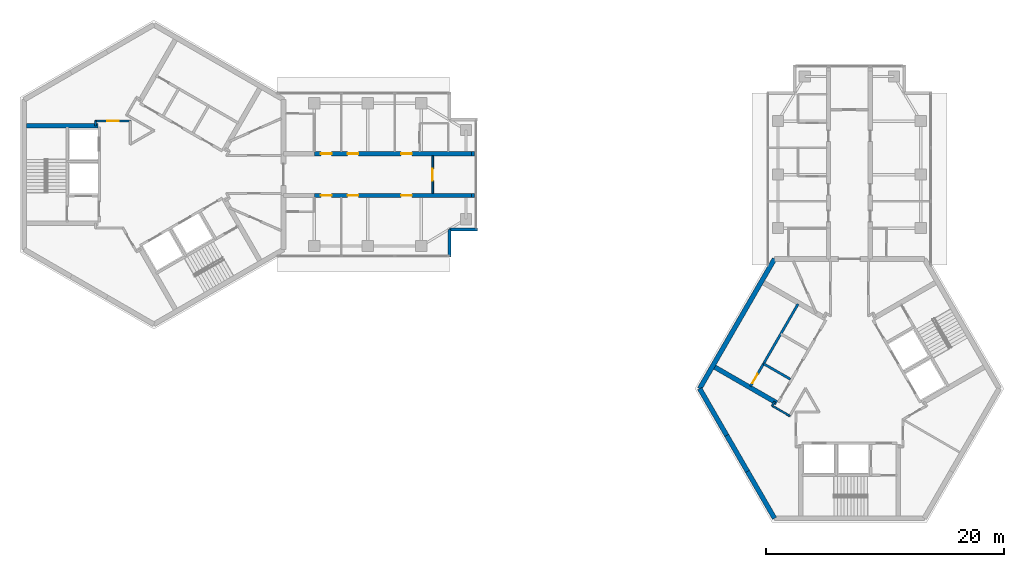
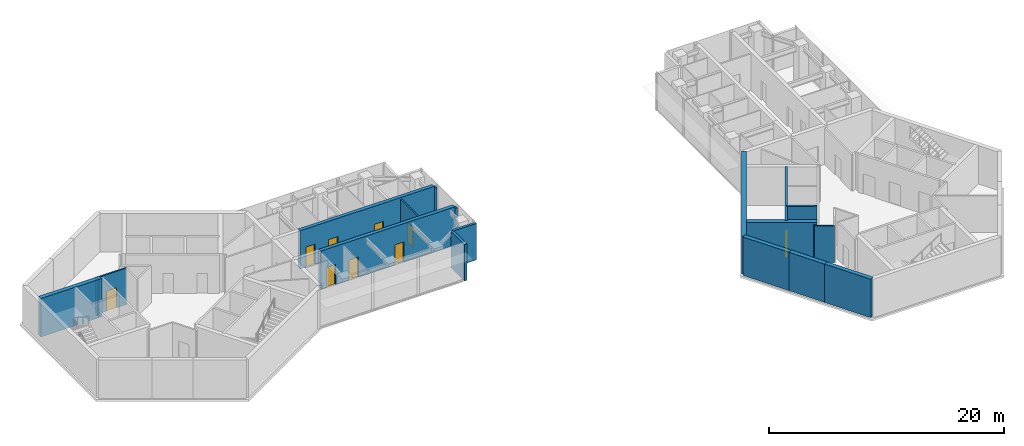
# One storey, part 6 of 11: 19 walls, 9 doors, 9 openings.
"""IFC4 building model written with IfcOpenShell, lengths in metres."""

from ifc_helpers import new_model, si_unit, direction, frame, frame_2d, origin, place, context, subcontext, project, spatial, rectangle, extrude, material, layer, layer_set, type_object, element, fill, save


model = new_model("IFC4")

# Units and contexts
model_context = context("Model", 3, precision=1e-05, world=origin(), true_north=direction((0.0, 1.0)))
body_context = subcontext(model_context, "Body", "Model", "MODEL_VIEW")
ifc_project = project(units=[si_unit("LENGTHUNIT", "METRE"), si_unit("AREAUNIT", "SQUARE_METRE"), si_unit("VOLUMEUNIT", "CUBIC_METRE"), si_unit("PLANEANGLEUNIT", "RADIAN"), si_unit("MASSUNIT", "GRAM", prefix="KILO")], contexts=[model_context])

# Site, building, storey
site_placement = place(None, origin())
site = spatial("IfcSite", under=ifc_project, at=site_placement, CompositionType="ELEMENT")
building_placement = place(site_placement, origin())
building = spatial("IfcBuilding", under=site, at=building_placement, Name="Upepo Twin Towers", CompositionType="ELEMENT")
storey_placement = place(building_placement, frame((0.0, 0.0, 271.5)))
storey = spatial("IfcBuildingStorey", under=building, at=storey_placement, Name="L66", CompositionType="ELEMENT", Elevation=271.5)

# Walls
ifc_material_1 = material(Name="Dense concrete blockwork", Category="masonry")
ifc_layer_1 = layer(ifc_material_1, 0.35009765625)
ifc_layer_set_1 = layer_set([ifc_layer_1], Name="Buttress closer 350, blockwork with fire-stopping to the curtain wall")
wall_type_1 = type_object("IfcWallType", Name="Buttress closer 350, blockwork with fire-stopping to the curtain wall", PredefinedType="PARTITIONING", material=ifc_layer_set_1)
for number, where, z_axis, x_axis, name in (
    (1, (26.699951171875, 1.75, 0.0), (0.0, 0.0, 1.0), (1.0, 0.0, 0.0), "T1 L66 wing A buttress closer L"),
    (2, (26.699951171875, -1.75, 0.0), (0.0, 0.0, 1.0), (1.0, 0.0, 0.0), "T1 L66 wing A buttress closer R"),
):
    element("IfcWall", number, at=place(storey_placement, frame(where, z_axis=z_axis, x_axis=x_axis)), inside=storey, type_object=wall_type_1, Name=name, PredefinedType="PARTITIONING", context=body_context, shape_type="SweptSolid", body=[
        extrude(rectangle(XDim=0.275146484375, YDim=0.35009765625, at=frame_2d((0.1376953125, 0.0))), origin(), (0.0, 0.0, 1.0), 3.800048828125),
    ])

# Wall, openings, doors
ifc_material_2 = material(Name="Concrete C60/75", Category="concrete")
ifc_layer_2 = layer(ifc_material_2, 0.35009765625)
ifc_layer_set_2 = layer_set([ifc_layer_2], Name="Concrete C60/75")
wall_type_2 = type_object("IfcWallType", Name="Buttress wall 350 RC", PredefinedType="SHEAR", material=ifc_layer_set_2)
wall_1_placement = place(storey_placement, frame((13.5, 1.75, 0.0), z_axis=(0.0, 0.0, 1.0), x_axis=(1.0, 0.0, 0.0)))
wall_1 = element("IfcWall", 3, at=wall_1_placement, inside=storey, type_object=wall_type_2, Name="T1 wing A buttress wall L part 2", PredefinedType="SHEAR", context=body_context, shape_type="SweptSolid", body=[
    extrude(rectangle(XDim=13.199951171875, YDim=0.35009765625, at=frame_2d((6.60009765625, 0.0))), origin(), (0.0, 0.0, 1.0), 4.0),
])
opening_1_placement = place(wall_1_placement, frame((0.550048828125, 0.0, 0.0)))
opening_1 = element("IfcOpeningElement", 4, at=opening_1_placement, cuts=wall_1, Name="Opening D11", PredefinedType="OPENING", context=body_context, shape_type="SweptSolid", body=[
    extrude(rectangle(XDim=0.89990234375, YDim=2.10009765625, at=frame_2d((0.449951171875, 1.050048828125))), frame((0.0, 0.18505859375, 0.0), z_axis=(0.0, -1.0, 0.0), x_axis=(1.0, 0.0, 0.0)), (0.0, 0.0, 1.0), 0.3701171875),
])
opening_2_placement = place(wall_1_placement, frame((2.800048828125, 0.0, 0.0)))
opening_2 = element("IfcOpeningElement", 5, at=opening_2_placement, cuts=wall_1, Name="Opening D14", PredefinedType="OPENING", context=body_context, shape_type="SweptSolid", body=[
    extrude(rectangle(XDim=0.89990234375, YDim=2.10009765625, at=frame_2d((0.449951171875, 1.050048828125))), frame((0.0, 0.18505859375, 0.0), z_axis=(0.0, -1.0, 0.0), x_axis=(1.0, 0.0, 0.0)), (0.0, 0.0, 1.0), 0.3701171875),
])
opening_3_placement = place(wall_1_placement, frame((7.300048828125, 0.0, 0.0)))
opening_3 = element("IfcOpeningElement", 6, at=opening_3_placement, cuts=wall_1, Name="Opening D14", PredefinedType="OPENING", context=body_context, shape_type="SweptSolid", body=[
    extrude(rectangle(XDim=0.89990234375, YDim=2.10009765625, at=frame_2d((0.449951171875, 1.050048828125))), frame((0.0, 0.18505859375, 0.0), z_axis=(0.0, -1.0, 0.0), x_axis=(1.0, 0.0, 0.0)), (0.0, 0.0, 1.0), 0.3701171875),
])
ifc_material_3 = material(Name="Timber doorset", Category="wood")
door_type_1 = type_object("IfcDoorType", Name="Office door 900 FD30", OperationType="SINGLE_SWING_LEFT", PredefinedType="DOOR", material=ifc_material_3)
door_1_placement = place(opening_2_placement, origin())
door_1 = element("IfcDoor", 7, at=door_1_placement, inside=storey, type_object=door_type_1, Name="T1 L66 seminar room door", OperationType="SINGLE_SWING_LEFT", OverallHeight=2.10009765625, OverallWidth=0.89990234375, PredefinedType="DOOR", context=body_context, shape_type="SweptSolid", body=[
    extrude(rectangle(XDim=0.89990234375, YDim=2.10009765625, at=frame_2d((0.449951171875, 1.050048828125))), frame((0.0, 0.02490234375, 0.0), z_axis=(0.0, -1.0, 0.0), x_axis=(1.0, 0.0, 0.0)), (0.0, 0.0, 1.0), 0.050048828125),
])
fill(opening_2, door_1)
door_2_placement = place(opening_3_placement, origin())
door_2 = element("IfcDoor", 8, at=door_2_placement, inside=storey, type_object=door_type_1, Name="T1 L66 tutorial room door", OperationType="SINGLE_SWING_RIGHT", OverallHeight=2.10009765625, OverallWidth=0.89990234375, PredefinedType="DOOR", context=body_context, shape_type="SweptSolid", body=[
    extrude(rectangle(XDim=0.89990234375, YDim=2.10009765625, at=frame_2d((0.449951171875, 1.050048828125))), frame((0.0, 0.02490234375, 0.0), z_axis=(0.0, -1.0, 0.0), x_axis=(1.0, 0.0, 0.0)), (0.0, 0.0, 1.0), 0.050048828125),
])
fill(opening_3, door_2)
ifc_material_4 = material(Name="Timber doorset", Category="wood")
door_type_2 = type_object("IfcDoorType", Name="Toilet door 900", OperationType="SINGLE_SWING_LEFT", PredefinedType="DOOR", material=ifc_material_4)
door_3_placement = place(opening_1_placement, origin())
door_3 = element("IfcDoor", 9, at=door_3_placement, inside=storey, type_object=door_type_2, Name="T1 L66 accessible wc door", OperationType="SINGLE_SWING_LEFT", OverallHeight=2.10009765625, OverallWidth=0.89990234375, PredefinedType="DOOR", context=body_context, shape_type="SweptSolid", body=[
    extrude(rectangle(XDim=0.89990234375, YDim=2.10009765625, at=frame_2d((0.449951171875, 1.050048828125))), frame((0.0, 0.02490234375, 0.0), z_axis=(0.0, -1.0, 0.0), x_axis=(1.0, 0.0, 0.0)), (0.0, 0.0, 1.0), 0.050048828125),
])
fill(opening_1, door_3)

wall_2_placement = place(storey_placement, frame((13.5, -1.75, 0.0), z_axis=(0.0, 0.0, 1.0), x_axis=(1.0, 0.0, 0.0)))
wall_2 = element("IfcWall", 10, at=wall_2_placement, inside=storey, type_object=wall_type_2, Name="T1 wing A buttress wall R part 2", PredefinedType="SHEAR", context=body_context, shape_type="SweptSolid", body=[
    extrude(rectangle(XDim=13.199951171875, YDim=0.35009765625, at=frame_2d((6.60009765625, 0.0))), origin(), (0.0, 0.0, 1.0), 4.0),
])
opening_4_placement = place(wall_2_placement, frame((0.550048828125, 0.0, 0.0)))
opening_4 = element("IfcOpeningElement", 11, at=opening_4_placement, cuts=wall_2, Name="Opening D11", PredefinedType="OPENING", context=body_context, shape_type="SweptSolid", body=[
    extrude(rectangle(XDim=0.89990234375, YDim=2.10009765625, at=frame_2d((0.449951171875, 1.050048828125))), frame((0.0, 0.18505859375, 0.0), z_axis=(0.0, -1.0, 0.0), x_axis=(1.0, 0.0, 0.0)), (0.0, 0.0, 1.0), 0.3701171875),
])
opening_5_placement = place(wall_2_placement, frame((2.800048828125, 0.0, 0.0)))
opening_5 = element("IfcOpeningElement", 12, at=opening_5_placement, cuts=wall_2, Name="Opening D14", PredefinedType="OPENING", context=body_context, shape_type="SweptSolid", body=[
    extrude(rectangle(XDim=0.89990234375, YDim=2.10009765625, at=frame_2d((0.449951171875, 1.050048828125))), frame((0.0, 0.18505859375, 0.0), z_axis=(0.0, -1.0, 0.0), x_axis=(1.0, 0.0, 0.0)), (0.0, 0.0, 1.0), 0.3701171875),
])
opening_6_placement = place(wall_2_placement, frame((7.300048828125, 0.0, 0.0)))
opening_6 = element("IfcOpeningElement", 13, at=opening_6_placement, cuts=wall_2, Name="Opening D14", PredefinedType="OPENING", context=body_context, shape_type="SweptSolid", body=[
    extrude(rectangle(XDim=0.89990234375, YDim=2.10009765625, at=frame_2d((0.449951171875, 1.050048828125))), frame((0.0, 0.18505859375, 0.0), z_axis=(0.0, -1.0, 0.0), x_axis=(1.0, 0.0, 0.0)), (0.0, 0.0, 1.0), 0.3701171875),
])
door_4_placement = place(opening_5_placement, origin())
door_4 = element("IfcDoor", 14, at=door_4_placement, inside=storey, type_object=door_type_1, Name="T1 L66 graduate seminar room door", OperationType="SINGLE_SWING_LEFT", OverallHeight=2.10009765625, OverallWidth=0.89990234375, PredefinedType="DOOR", context=body_context, shape_type="SweptSolid", body=[
    extrude(rectangle(XDim=0.89990234375, YDim=2.10009765625, at=frame_2d((0.449951171875, 1.050048828125))), frame((0.0, 0.02490234375, 0.0), z_axis=(0.0, -1.0, 0.0), x_axis=(1.0, 0.0, 0.0)), (0.0, 0.0, 1.0), 0.050048828125),
])
fill(opening_5, door_4)
door_5_placement = place(opening_6_placement, origin())
door_5 = element("IfcDoor", 15, at=door_5_placement, inside=storey, type_object=door_type_1, Name="T1 L66 graduate seminar room door", OperationType="SINGLE_SWING_RIGHT", OverallHeight=2.10009765625, OverallWidth=0.89990234375, PredefinedType="DOOR", context=body_context, shape_type="SweptSolid", body=[
    extrude(rectangle(XDim=0.89990234375, YDim=2.10009765625, at=frame_2d((0.449951171875, 1.050048828125))), frame((0.0, 0.02490234375, 0.0), z_axis=(0.0, -1.0, 0.0), x_axis=(1.0, 0.0, 0.0)), (0.0, 0.0, 1.0), 0.050048828125),
])
fill(opening_6, door_5)
door_6_placement = place(opening_4_placement, origin())
door_6 = element("IfcDoor", 16, at=door_6_placement, inside=storey, type_object=door_type_2, Name="T1 L66 toilets door", OperationType="SINGLE_SWING_LEFT", OverallHeight=2.10009765625, OverallWidth=0.89990234375, PredefinedType="DOOR", context=body_context, shape_type="SweptSolid", body=[
    extrude(rectangle(XDim=0.89990234375, YDim=2.10009765625, at=frame_2d((0.449951171875, 1.050048828125))), frame((0.0, 0.02490234375, 0.0), z_axis=(0.0, -1.0, 0.0), x_axis=(1.0, 0.0, 0.0)), (0.0, 0.0, 1.0), 0.050048828125),
])
fill(opening_4, door_6)

# Walls
ifc_material_5 = material(Name="Concrete C60/75", Category="concrete")
ifc_layer_3 = layer(ifc_material_5, 0.39990234375)
ifc_layer_set_3 = layer_set([ifc_layer_3], Name="Concrete C60/75")
wall_type_3 = type_object("IfcWallType", Name="Core wall 400 RC", PredefinedType="SHEAR", material=ifc_layer_set_3)
wall_3_placement = place(storey_placement, frame((52.2021484375, -7.091552734375, 0.0), z_axis=(0.0, 0.0, 1.0), x_axis=(-0.500005998175, -0.866021940709, 0.0)))
element("IfcWall", 17, at=wall_3_placement, inside=storey, type_object=wall_type_3, Name="T2 core wall 060", PredefinedType="SHEAR", context=body_context, shape_type="SweptSolid", body=[
    extrude(rectangle(XDim=12.595947265625, YDim=0.39990234375, at=frame_2d((6.2978515625, 0.0))), origin(), (0.0, 0.0, 1.0), 4.0),
])
wall_4_placement = place(storey_placement, frame((45.904052734375, -18.0, 0.0), z_axis=(0.0, 0.0, 1.0), x_axis=(0.500024481964, -0.866011268655, 0.0)))
element("IfcWall", 18, at=wall_4_placement, inside=storey, type_object=wall_type_3, Name="T2 core wall 120 R", PredefinedType="SHEAR", context=body_context, shape_type="SweptSolid", body=[
    extrude(rectangle(XDim=4.548095703125, YDim=0.39990234375, at=frame_2d((2.27392578125, 0.0))), origin(), (0.0, 0.0, 1.0), 4.0),
])
wall_5_placement = place(storey_placement, frame((48.17822265625, -21.938720703125, 0.0), z_axis=(0.0, 0.0, 1.0), x_axis=(0.500010275428, -0.866019471182, 0.0)))
element("IfcWall", 19, at=wall_5_placement, inside=storey, type_object=wall_type_3, Name="T2 core wall 120", PredefinedType="SHEAR", context=body_context, shape_type="SweptSolid", body=[
    extrude(rectangle(XDim=3.5, YDim=0.39990234375, at=frame_2d((1.75, 0.0))), origin(), (0.0, 0.0, 1.0), 4.0),
])
wall_6_placement = place(storey_placement, frame((49.92822265625, -24.9697265625, 0.0), z_axis=(0.0, 0.0, 1.0), x_axis=(0.499984222037, -0.866034513004, 0.0)))
element("IfcWall", 20, at=wall_6_placement, inside=storey, type_object=wall_type_3, Name="T2 core wall 120 L", PredefinedType="SHEAR", context=body_context, shape_type="SweptSolid", body=[
    extrude(rectangle(XDim=4.548095703125, YDim=0.39990234375, at=frame_2d((2.27392578125, 0.0))), origin(), (0.0, 0.0, 1.0), 4.0),
])
ifc_material_6 = material(Name="Blockwork with anodised aluminium cladding", Category="masonry")
ifc_layer_4 = layer(ifc_material_6, 0.25)
ifc_layer_set_4 = layer_set([ifc_layer_4], Name="Notch cladding wall 250, pale metal")
wall_type_4 = type_object("IfcWallType", Name="Notch cladding wall 250, pale metal", PredefinedType="STANDARD", material=ifc_layer_set_4)
for number, where, z_axis, x_axis, name in (
    (21, (24.875, -6.949951171875, 0.0), (0.0, 0.0, 1.0), (0.0, 1.0, 0.0), "T1 L66 wing A notch wall R1"),
    (22, (24.875, -4.625, 0.0), (0.0, 0.0, 1.0), (1.0, 0.0, 0.0), "T1 L66 wing A notch wall R2"),
):
    element("IfcWall", number, at=place(storey_placement, frame(where, z_axis=z_axis, x_axis=x_axis)), inside=storey, type_object=wall_type_4, Name=name, PredefinedType="STANDARD", context=body_context, shape_type="SweptSolid", body=[
        extrude(rectangle(XDim=2.324951171875, YDim=0.25, at=frame_2d((1.16259765625, 0.0))), origin(), (0.0, 0.0, 1.0), 3.800048828125),
    ])
ifc_material_7 = material(Name="Concrete C40/50", Category="concrete")
ifc_layer_5 = layer(ifc_material_7, 0.199951171875)
ifc_layer_set_5 = layer_set([ifc_layer_5], Name="Concrete C40/50")
wall_type_5 = type_object("IfcWallType", Name="Shaft wall 200 RC", PredefinedType="SHEAR", material=ifc_layer_set_5)
wall_7_placement = place(storey_placement, frame((53.52978515625, -17.208740234375, 0.0), z_axis=(0.0, 0.0, 1.0), x_axis=(-0.866062058628, 0.499936506574, 0.0)))
element("IfcWall", 23, at=wall_7_placement, inside=storey, type_object=wall_type_5, Name="T2 core W60 lobby wall", PredefinedType="SHEAR", context=body_context, shape_type="SweptSolid", body=[
    extrude(rectangle(XDim=2.599853515625, YDim=0.199951171875, at=frame_2d((1.2998046875, 0.0))), origin(), (0.0, 0.0, 1.0), 4.0),
])

# Wall, opening, door
wall_8_placement = place(storey_placement, frame((54.177978515625, -10.885986328125, 0.0), z_axis=(0.0, 0.0, 1.0), x_axis=(-0.49999894854, -0.866026010844, 0.0)))
wall_8 = element("IfcWall", 24, at=wall_8_placement, inside=storey, type_object=wall_type_5, Name="T2 core W60 stair wall", PredefinedType="SHEAR", context=body_context, shape_type="SweptSolid", body=[
    extrude(rectangle(XDim=8.0, YDim=0.199951171875, at=frame_2d((4.0, 0.0))), origin(), (0.0, 0.0, 1.0), 4.0),
])
opening_7_placement = place(wall_8_placement, frame((6.800048828125, 0.0, 0.0)))
opening_7 = element("IfcOpeningElement", 25, at=opening_7_placement, cuts=wall_8, Name="Opening D9", PredefinedType="OPENING", context=body_context, shape_type="SweptSolid", body=[
    extrude(rectangle(XDim=0.89990234375, YDim=2.10009765625, at=frame_2d((0.449951171875, 1.050048828125))), frame((0.0, 0.10986328125, 0.0), z_axis=(0.0, -1.0, 0.0), x_axis=(1.0, 0.0, 0.0)), (0.0, 0.0, 1.0), 0.219970703125),
])
ifc_material_8 = material(Name="Timber doorset", Category="wood")
door_type_3 = type_object("IfcDoorType", Name="Riser door 900 FD60", OperationType="SINGLE_SWING_LEFT", PredefinedType="DOOR", material=ifc_material_8)
door_7_placement = place(opening_7_placement, origin())
door_7 = element("IfcDoor", 26, at=door_7_placement, inside=storey, type_object=door_type_3, Name="T2 L66 riser door", OperationType="SINGLE_SWING_RIGHT", OverallHeight=2.10009765625, OverallWidth=0.89990234375, PredefinedType="DOOR", context=body_context, shape_type="SweptSolid", body=[
    extrude(rectangle(XDim=0.89990234375, YDim=2.10009765625, at=frame_2d((0.449951171875, 1.050048828125))), frame((0.0, 0.02490234375, 0.0), z_axis=(0.0, -1.0, 0.0), x_axis=(1.0, 0.0, 0.0)), (0.0, 0.0, 1.0), 0.050048828125),
])
fill(opening_7, door_7)

# Walls
ifc_material_9 = material(Name="Concrete C40/50", Category="concrete")
ifc_layer_6 = layer(ifc_material_9, 0.39990234375)
ifc_layer_set_6 = layer_set([ifc_layer_6], Name="Concrete C40/50")
wall_type_6 = type_object("IfcWallType", Name="Shaft wall 400 RC", PredefinedType="SHEAR", material=ifc_layer_set_6)
for number, where, z_axis, x_axis, name in (
    (27, (-4.699951171875, 4.10009765625, 0.0), (0.0, 0.0, 1.0), (-1.0, 0.0, 0.0), "T1 core W180 side wall S"),
    (28, (52.379638671875, -19.20068359375, 0.0), (0.0, 0.0, 1.0), (-0.866026570101, 0.499997979876, 0.0), "T2 core W60 side wall N"),
):
    element("IfcWall", number, at=place(storey_placement, frame(where, z_axis=z_axis, x_axis=x_axis)), inside=storey, type_object=wall_type_6, Name=name, PredefinedType="SHEAR", context=body_context, shape_type="SweptSolid", body=[
        extrude(rectangle(XDim=6.00830078125, YDim=0.39990234375, at=frame_2d((3.004150390625, 0.0))), origin(), (0.0, 0.0, 1.0), 4.0),
    ])
ifc_material_10 = material(Name="Gypsum board on steel studs", Category="steel")
ifc_layer_7 = layer(ifc_material_10, 0.14990234375)
ifc_layer_set_7 = layer_set([ifc_layer_7], Name="Teaching partition 150 acoustic")
wall_type_7 = type_object("IfcWallType", Name="Teaching partition 150 acoustic", PredefinedType="PARTITIONING", material=ifc_layer_set_7)
wall_9_placement = place(storey_placement, frame((-4.89990234375, 4.090087890625, 0.0), z_axis=(0.0, 0.0, 1.0), x_axis=(0.0, 1.0, 0.0)))
element("IfcWall", 29, at=wall_9_placement, inside=storey, type_object=wall_type_7, Name="T1 core room partition 6", PredefinedType="PARTITIONING", context=body_context, shape_type="SweptSolid", body=[
    extrude(rectangle(XDim=0.429931640625, YDim=0.14990234375, at=frame_2d((0.21484375, 0.0))), origin(), (0.0, 0.0, 1.0), 3.800048828125),
])

# Wall, opening, door
wall_10_placement = place(storey_placement, frame((-4.919921875, 4.5, 0.0), z_axis=(0.0, 0.0, 1.0), x_axis=(1.0, 0.0, 0.0)))
wall_10 = element("IfcWall", 30, at=wall_10_placement, inside=storey, type_object=wall_type_7, Name="T1 core room partition 7", PredefinedType="PARTITIONING", context=body_context, shape_type="SweptSolid", body=[
    extrude(rectangle(XDim=2.96484375, YDim=0.14990234375, at=frame_2d((1.482421875, 0.0))), origin(), (0.0, 0.0, 1.0), 3.800048828125),
])
opening_8_placement = place(wall_10_placement, frame((0.982421875, 0.0, 0.0)))
opening_8 = element("IfcOpeningElement", 31, at=opening_8_placement, cuts=wall_10, Name="Opening D1", PredefinedType="OPENING", context=body_context, shape_type="SweptSolid", body=[
    extrude(rectangle(XDim=1.0, YDim=2.10009765625, at=frame_2d((0.5, 1.050048828125))), frame((0.0, 0.0849609375, 0.0), z_axis=(0.0, -1.0, 0.0), x_axis=(1.0, 0.0, 0.0)), (0.0, 0.0, 1.0), 0.169921875),
])
ifc_material_11 = material(Name="Timber doorset", Category="wood")
door_type_4 = type_object("IfcDoorType", Name="Room door 1000 FD30", OperationType="SINGLE_SWING_LEFT", PredefinedType="DOOR", material=ifc_material_11)
door_8_placement = place(opening_8_placement, origin())
door_8 = element("IfcDoor", 32, at=door_8_placement, inside=storey, type_object=door_type_4, Name="T1 L66 core room door K6", OperationType="SINGLE_SWING_RIGHT", OverallHeight=2.10009765625, OverallWidth=1.0, PredefinedType="DOOR", context=body_context, shape_type="SweptSolid", body=[
    extrude(rectangle(XDim=1.0, YDim=2.10009765625, at=frame_2d((0.5, 1.050048828125))), frame((0.0, 0.02490234375, 0.0), z_axis=(0.0, -1.0, 0.0), x_axis=(1.0, 0.0, 0.0)), (0.0, 0.0, 1.0), 0.050048828125),
])
fill(opening_8, door_8)

wall_11_placement = place(storey_placement, frame((23.449951171875, -1.574951171875, 0.0), z_axis=(0.0, 0.0, 1.0), x_axis=(0.0, 1.0, 0.0)))
wall_11 = element("IfcWall", 33, at=wall_11_placement, inside=storey, type_object=wall_type_7, Name="T1 corridor end partition A at 23.45", PredefinedType="PARTITIONING", context=body_context, shape_type="SweptSolid", body=[
    extrude(rectangle(XDim=3.14990234375, YDim=0.14990234375, at=frame_2d((1.574951171875, 0.0))), origin(), (0.0, 0.0, 1.0), 3.800048828125),
])
opening_9_placement = place(wall_11_placement, frame((1.074951171875, 0.0, 0.0)))
opening_9 = element("IfcOpeningElement", 34, at=opening_9_placement, cuts=wall_11, Name="Opening D1", PredefinedType="OPENING", context=body_context, shape_type="SweptSolid", body=[
    extrude(rectangle(XDim=1.0, YDim=2.10009765625, at=frame_2d((0.5, 1.050048828125))), frame((0.0, 0.0849609375, 0.0), z_axis=(0.0, -1.0, 0.0), x_axis=(1.0, 0.0, 0.0)), (0.0, 0.0, 1.0), 0.169921875),
])
door_9_placement = place(opening_9_placement, origin())
door_9 = element("IfcDoor", 35, at=door_9_placement, inside=storey, type_object=door_type_4, Name="T1 L66 breakout study room door", OperationType="SINGLE_SWING_LEFT", OverallHeight=2.10009765625, OverallWidth=1.0, PredefinedType="DOOR", context=body_context, shape_type="SweptSolid", body=[
    extrude(rectangle(XDim=1.0, YDim=2.10009765625, at=frame_2d((0.5, 1.050048828125))), frame((0.0, 0.02490234375, 0.0), z_axis=(0.0, -1.0, 0.0), x_axis=(1.0, 0.0, 0.0)), (0.0, 0.0, 1.0), 0.050048828125),
])
fill(opening_9, door_9)

# Walls
wall_12_placement = place(storey_placement, frame((53.49609375, -20.30712890625, 0.0), z_axis=(0.0, 0.0, 1.0), x_axis=(-0.865989304205, 0.500062521093, 0.0)))
element("IfcWall", 36, at=wall_12_placement, inside=storey, type_object=wall_type_7, Name="T2 core room partition 7", PredefinedType="PARTITIONING", context=body_context, shape_type="SweptSolid", body=[
    extrude(rectangle(XDim=1.739990234375, YDim=0.14990234375, at=frame_2d((0.8701171875, 0.0))), origin(), (0.0, 0.0, 1.0), 3.800048828125),
])
wall_13_placement = place(storey_placement, frame((51.99658203125, -19.46435546875, 0.0), z_axis=(0.0, 0.0, 1.0), x_axis=(0.499804398801, 0.866138304741, 0.0)))
element("IfcWall", 37, at=wall_13_placement, inside=storey, type_object=wall_type_7, Name="T2 core room partition 8", PredefinedType="PARTITIONING", context=body_context, shape_type="SweptSolid", body=[
    extrude(rectangle(XDim=0.429931640625, YDim=0.14990234375, at=frame_2d((0.21484375, 0.0))), origin(), (0.0, 0.0, 1.0), 3.800048828125),
])

save(model, "model.ifc")
